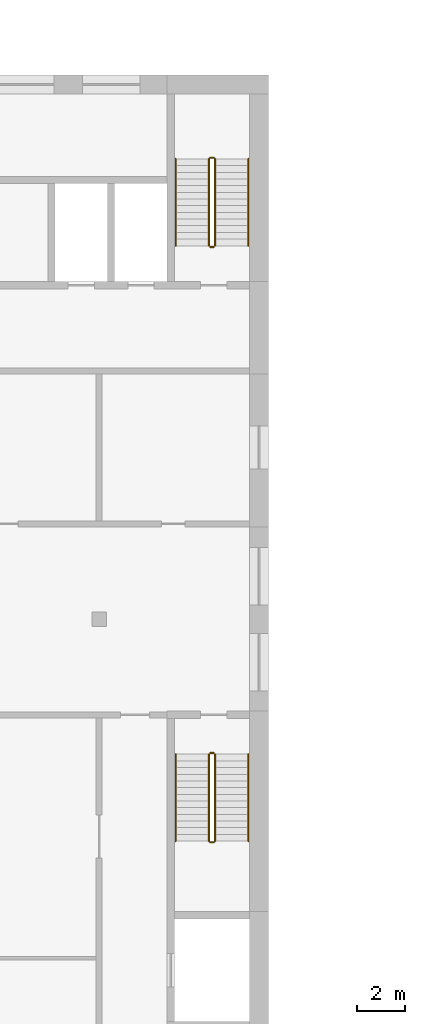
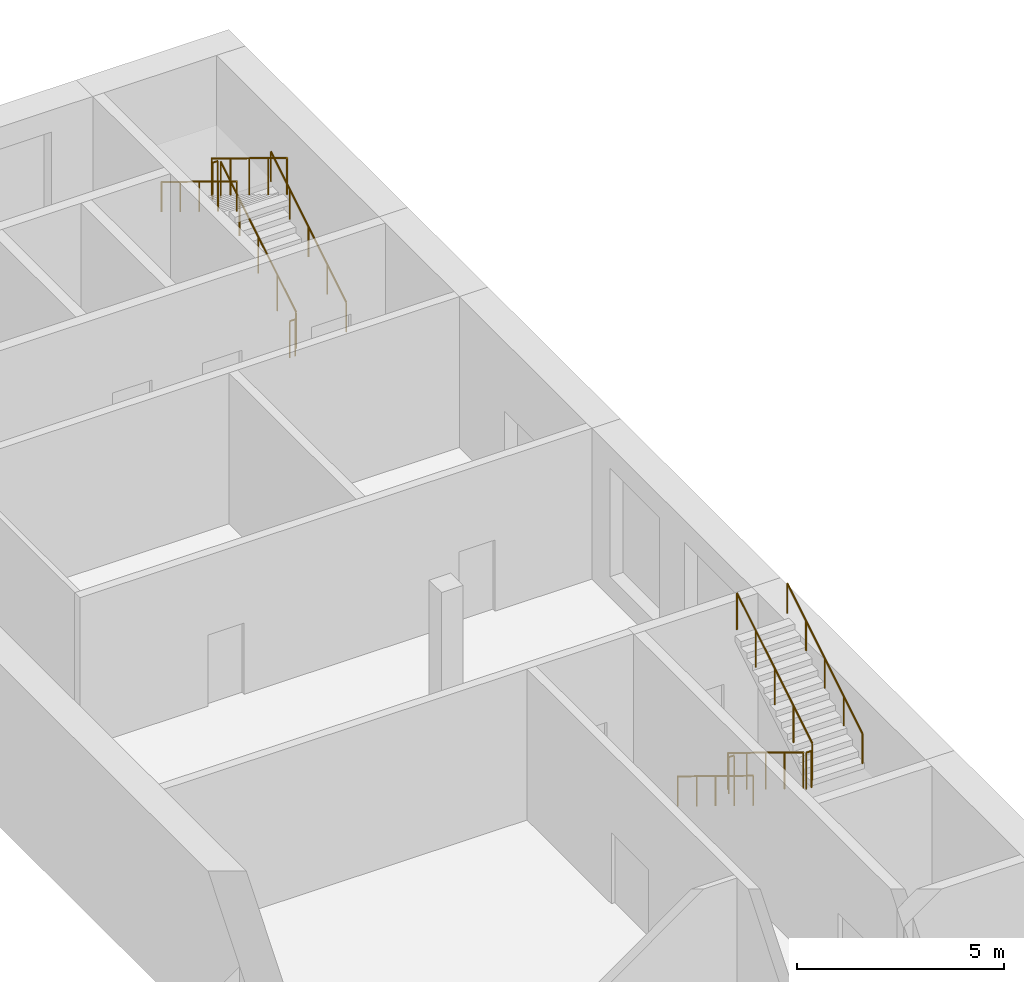
# One storey, part 19 of 27: 12 railings.
"""IFC4 building model written with IfcOpenShell, lengths in metres."""

from ifc_helpers import new_model, si_unit, direction, frame, origin, origin_2d, place, context, subcontext, project, spatial, circle, extrude, material, type_object, element, save


model = new_model("IFC4")

# Units and contexts
model_context = context("Model", 3, precision=1e-05, world=origin(), true_north=direction((0.0, 1.0)))
body_context = subcontext(model_context, "Body", "Model", "MODEL_VIEW")
ifc_project = project(units=[si_unit("LENGTHUNIT", "METRE"), si_unit("AREAUNIT", "SQUARE_METRE"), si_unit("VOLUMEUNIT", "CUBIC_METRE"), si_unit("PLANEANGLEUNIT", "RADIAN"), si_unit("MASSUNIT", "GRAM", prefix="KILO")], contexts=[model_context])

# Site, building, storey
site_placement = place(None, origin())
site = spatial("IfcSite", under=ifc_project, at=site_placement, CompositionType="ELEMENT")
building_placement = place(site_placement, origin())
building = spatial("IfcBuilding", under=site, at=building_placement, Name="Kiln Ring Residences", CompositionType="ELEMENT")
storey_placement = place(building_placement, frame((0.0, 0.0, 6.5)))
storey = spatial("IfcBuildingStorey", under=building, at=storey_placement, Name="L01", CompositionType="ELEMENT", Elevation=6.5)

# Railings
ifc_material_1 = material(Name="Stainless steel", Category="steel")
railing_type_1 = type_object("IfcRailingType", Name="Hall stair guard 1100", PredefinedType="GUARDRAIL", material=ifc_material_1)
railing_1_placement = place(storey_placement, frame((27.75, -119.550048828125, 0.17138671875)))
element("IfcRailing", 1, at=railing_1_placement, inside=storey, type_object=railing_type_1, Name="L01 HALL.ST2 stair guard 1", PredefinedType="GUARDRAIL", context=body_context, shape_type="SweptSolid", body=[
    extrude(circle(Radius=0.02392578125, at=origin_2d()), frame((0.0, 0.0, 1.076171875), z_axis=(0.0, 0.852865859571, 0.52213008492), x_axis=(-1.0, 0.0, 0.0)), (0.0, 0.0, 1.0), 4.26806640625),
    extrude(circle(Radius=0.02099609375, at=origin_2d()), origin(), (0.0, 0.0, 1.0), 1.052001953125),
    extrude(circle(Radius=0.02099609375, at=origin_2d()), frame((0.0, 0.91015625, 0.55712890625)), (0.0, 0.0, 1.0), 1.052001953125),
    extrude(circle(Radius=0.02099609375, at=origin_2d()), frame((0.0, 1.820068359375, 1.1142578125)), (0.0, 0.0, 1.0), 1.052001953125),
    extrude(circle(Radius=0.02099609375, at=origin_2d()), frame((0.0, 2.72998046875, 1.67138671875)), (0.0, 0.0, 1.0), 1.052001953125),
    extrude(circle(Radius=0.02099609375, at=origin_2d()), frame((0.0, 3.64013671875, 2.228515625)), (0.0, 0.0, 1.0), 1.052001953125),
])
railing_2_placement = place(storey_placement, frame((27.699951171875, -115.860107421875, 2.39990234375)))
element("IfcRailing", 2, at=railing_2_placement, inside=storey, type_object=railing_type_1, Name="L01 HALL.ST2 stair guard 2", PredefinedType="GUARDRAIL", context=body_context, shape_type="SweptSolid", body=[
    extrude(circle(Radius=0.02392578125, at=origin_2d()), frame((0.0, 0.0, 1.076171875), z_axis=(-1.0, 0.0, 0.0), x_axis=(0.0, -1.0, 0.0)), (0.0, 0.0, 1.0), 0.14990234375),
    extrude(circle(Radius=0.02099609375, at=origin_2d()), origin(), (0.0, 0.0, 1.0), 1.052001953125),
    extrude(circle(Radius=0.02099609375, at=origin_2d()), frame((-0.14990234375, 0.0, 0.0)), (0.0, 0.0, 1.0), 1.052001953125),
])
railing_3_placement = place(storey_placement, frame((27.5, -115.909912109375, 2.571533203125)))
element("IfcRailing", 3, at=railing_3_placement, inside=storey, type_object=railing_type_1, Name="L01 HALL.ST2 stair guard 3", PredefinedType="GUARDRAIL", context=body_context, shape_type="SweptSolid", body=[
    extrude(circle(Radius=0.02392578125, at=origin_2d()), frame((0.0, 0.0, 1.076171875), z_axis=(0.0, -0.852865859571, 0.52213008492), x_axis=(1.0, 0.0, 0.0)), (0.0, 0.0, 1.0), 4.26806640625),
    extrude(circle(Radius=0.02099609375, at=origin_2d()), origin(), (0.0, 0.0, 1.0), 1.052001953125),
    extrude(circle(Radius=0.02099609375, at=origin_2d()), frame((0.0, -0.91015625, 0.55712890625)), (0.0, 0.0, 1.0), 1.052001953125),
    extrude(circle(Radius=0.02099609375, at=origin_2d()), frame((0.0, -1.820068359375, 1.1142578125)), (0.0, 0.0, 1.0), 1.052001953125),
    extrude(circle(Radius=0.02099609375, at=origin_2d()), frame((0.0, -2.72998046875, 1.67138671875)), (0.0, 0.0, 1.0), 1.052001953125),
    extrude(circle(Radius=0.02099609375, at=origin_2d()), frame((0.0, -3.64013671875, 2.228515625)), (0.0, 0.0, 1.0), 1.052001953125),
])
railing_4_placement = place(storey_placement, frame((27.699951171875, -119.60009765625, 0.0)))
element("IfcRailing", 4, at=railing_4_placement, inside=storey, type_object=railing_type_1, Name="L01 HALL.ST2 stair guard 4", PredefinedType="GUARDRAIL", context=body_context, shape_type="SweptSolid", body=[
    extrude(circle(Radius=0.02392578125, at=origin_2d()), frame((0.0, 0.0, 1.076171875), z_axis=(-1.0, 0.0, 0.0), x_axis=(0.0, -1.0, 0.0)), (0.0, 0.0, 1.0), 0.14990234375),
    extrude(circle(Radius=0.02099609375, at=origin_2d()), origin(), (0.0, 0.0, 1.0), 1.052001953125),
    extrude(circle(Radius=0.02099609375, at=origin_2d()), frame((-0.14990234375, 0.0, 0.0)), (0.0, 0.0, 1.0), 1.052001953125),
])
railing_5_placement = place(storey_placement, frame((27.5, -140.85009765625, 0.17138671875)))
element("IfcRailing", 5, at=railing_5_placement, inside=storey, type_object=railing_type_1, Name="L01 HALL.ST4 stair guard 1", PredefinedType="GUARDRAIL", context=body_context, shape_type="SweptSolid", body=[
    extrude(circle(Radius=0.02392578125, at=origin_2d()), frame((0.0, 0.0, 1.076171875), z_axis=(0.0, -0.852850264322, 0.5221555579), x_axis=(1.0, 0.0, 0.0)), (0.0, 0.0, 1.0), 4.267822265625),
    extrude(circle(Radius=0.02099609375, at=origin_2d()), origin(), (0.0, 0.0, 1.0), 1.052001953125),
    extrude(circle(Radius=0.02099609375, at=origin_2d()), frame((0.0, -0.909912109375, 0.55712890625)), (0.0, 0.0, 1.0), 1.052001953125),
    extrude(circle(Radius=0.02099609375, at=origin_2d()), frame((0.0, -1.81982421875, 1.1142578125)), (0.0, 0.0, 1.0), 1.052001953125),
    extrude(circle(Radius=0.02099609375, at=origin_2d()), frame((0.0, -2.72998046875, 1.67138671875)), (0.0, 0.0, 1.0), 1.052001953125),
    extrude(circle(Radius=0.02099609375, at=origin_2d()), frame((0.0, -3.639892578125, 2.228515625)), (0.0, 0.0, 1.0), 1.052001953125),
])
railing_6_placement = place(storey_placement, frame((27.550048828125, -144.5400390625, 2.39990234375)))
element("IfcRailing", 6, at=railing_6_placement, inside=storey, type_object=railing_type_1, Name="L01 HALL.ST4 stair guard 2", PredefinedType="GUARDRAIL", context=body_context, shape_type="SweptSolid", body=[
    extrude(circle(Radius=0.02392578125, at=origin_2d()), frame((0.0, 0.0, 1.076171875), z_axis=(1.0, 0.0, 0.0), x_axis=(0.0, 1.0, 0.0)), (0.0, 0.0, 1.0), 0.14990234375),
    extrude(circle(Radius=0.02099609375, at=origin_2d()), origin(), (0.0, 0.0, 1.0), 1.052001953125),
    extrude(circle(Radius=0.02099609375, at=origin_2d()), frame((0.14990234375, 0.0, 0.0)), (0.0, 0.0, 1.0), 1.052001953125),
])
railing_7_placement = place(storey_placement, frame((27.75, -144.489990234375, 2.571533203125)))
element("IfcRailing", 7, at=railing_7_placement, inside=storey, type_object=railing_type_1, Name="L01 HALL.ST4 stair guard 3", PredefinedType="GUARDRAIL", context=body_context, shape_type="SweptSolid", body=[
    extrude(circle(Radius=0.02392578125, at=origin_2d()), frame((0.0, 0.0, 1.076171875), z_axis=(0.0, 0.852850264322, 0.5221555579), x_axis=(-1.0, 0.0, 0.0)), (0.0, 0.0, 1.0), 4.267822265625),
    extrude(circle(Radius=0.02099609375, at=origin_2d()), origin(), (0.0, 0.0, 1.0), 1.052001953125),
    extrude(circle(Radius=0.02099609375, at=origin_2d()), frame((0.0, 0.909912109375, 0.55712890625)), (0.0, 0.0, 1.0), 1.052001953125),
    extrude(circle(Radius=0.02099609375, at=origin_2d()), frame((0.0, 1.81982421875, 1.1142578125)), (0.0, 0.0, 1.0), 1.052001953125),
    extrude(circle(Radius=0.02099609375, at=origin_2d()), frame((0.0, 2.72998046875, 1.67138671875)), (0.0, 0.0, 1.0), 1.052001953125),
    extrude(circle(Radius=0.02099609375, at=origin_2d()), frame((0.0, 3.639892578125, 2.228515625)), (0.0, 0.0, 1.0), 1.052001953125),
])
railing_8_placement = place(storey_placement, frame((27.550048828125, -140.800048828125, 0.0)))
element("IfcRailing", 8, at=railing_8_placement, inside=storey, type_object=railing_type_1, Name="L01 HALL.ST4 stair guard 4", PredefinedType="GUARDRAIL", context=body_context, shape_type="SweptSolid", body=[
    extrude(circle(Radius=0.02392578125, at=origin_2d()), frame((0.0, 0.0, 1.076171875), z_axis=(1.0, 0.0, 0.0), x_axis=(0.0, 1.0, 0.0)), (0.0, 0.0, 1.0), 0.14990234375),
    extrude(circle(Radius=0.02099609375, at=origin_2d()), origin(), (0.0, 0.0, 1.0), 1.052001953125),
    extrude(circle(Radius=0.02099609375, at=origin_2d()), frame((0.14990234375, 0.0, 0.0)), (0.0, 0.0, 1.0), 1.052001953125),
])
ifc_material_2 = material(Name="Stainless steel", Category="steel")
railing_type_2 = type_object("IfcRailingType", Name="Hall stair handrail 900", PredefinedType="HANDRAIL", material=ifc_material_2)
railing_9_placement = place(storey_placement, frame((29.14990234375, -119.550048828125, 0.17138671875)))
element("IfcRailing", 9, at=railing_9_placement, inside=storey, type_object=railing_type_2, Name="L01 HALL.ST2 stair handrail 1", PredefinedType="HANDRAIL", context=body_context, shape_type="SweptSolid", body=[
    extrude(circle(Radius=0.02392578125, at=origin_2d()), frame((0.0, 0.0, 0.8759765625), z_axis=(0.0, 0.852865859571, 0.52213008492), x_axis=(-1.0, 0.0, 0.0)), (0.0, 0.0, 1.0), 4.26806640625),
    extrude(circle(Radius=0.02099609375, at=origin_2d()), origin(), (0.0, 0.0, 1.0), 0.851806640625),
    extrude(circle(Radius=0.02099609375, at=origin_2d()), frame((0.0, 0.91015625, 0.55712890625)), (0.0, 0.0, 1.0), 0.851806640625),
    extrude(circle(Radius=0.02099609375, at=origin_2d()), frame((0.0, 1.820068359375, 1.1142578125)), (0.0, 0.0, 1.0), 0.851806640625),
    extrude(circle(Radius=0.02099609375, at=origin_2d()), frame((0.0, 2.72998046875, 1.67138671875)), (0.0, 0.0, 1.0), 0.851806640625),
    extrude(circle(Radius=0.02099609375, at=origin_2d()), frame((0.0, 3.64013671875, 2.228515625)), (0.0, 0.0, 1.0), 0.851806640625),
])
railing_10_placement = place(storey_placement, frame((26.10009765625, -115.909912109375, 2.571533203125)))
element("IfcRailing", 10, at=railing_10_placement, inside=storey, type_object=railing_type_2, Name="L01 HALL.ST2 stair handrail 2", PredefinedType="HANDRAIL", context=body_context, shape_type="SweptSolid", body=[
    extrude(circle(Radius=0.02392578125, at=origin_2d()), frame((0.0, 0.0, 0.8759765625), z_axis=(0.0, -0.852865859571, 0.52213008492), x_axis=(1.0, 0.0, 0.0)), (0.0, 0.0, 1.0), 4.26806640625),
    extrude(circle(Radius=0.02099609375, at=origin_2d()), origin(), (0.0, 0.0, 1.0), 0.851806640625),
    extrude(circle(Radius=0.02099609375, at=origin_2d()), frame((0.0, -0.91015625, 0.55712890625)), (0.0, 0.0, 1.0), 0.851806640625),
    extrude(circle(Radius=0.02099609375, at=origin_2d()), frame((0.0, -1.820068359375, 1.1142578125)), (0.0, 0.0, 1.0), 0.851806640625),
    extrude(circle(Radius=0.02099609375, at=origin_2d()), frame((0.0, -2.72998046875, 1.67138671875)), (0.0, 0.0, 1.0), 0.851806640625),
    extrude(circle(Radius=0.02099609375, at=origin_2d()), frame((0.0, -3.64013671875, 2.228515625)), (0.0, 0.0, 1.0), 0.851806640625),
])
railing_11_placement = place(storey_placement, frame((26.10009765625, -140.85009765625, 0.17138671875)))
element("IfcRailing", 11, at=railing_11_placement, inside=storey, type_object=railing_type_2, Name="L01 HALL.ST4 stair handrail 1", PredefinedType="HANDRAIL", context=body_context, shape_type="SweptSolid", body=[
    extrude(circle(Radius=0.02392578125, at=origin_2d()), frame((0.0, 0.0, 0.8759765625), z_axis=(0.0, -0.852850264322, 0.5221555579), x_axis=(1.0, 0.0, 0.0)), (0.0, 0.0, 1.0), 4.267822265625),
    extrude(circle(Radius=0.02099609375, at=origin_2d()), origin(), (0.0, 0.0, 1.0), 0.851806640625),
    extrude(circle(Radius=0.02099609375, at=origin_2d()), frame((0.0, -0.909912109375, 0.55712890625)), (0.0, 0.0, 1.0), 0.851806640625),
    extrude(circle(Radius=0.02099609375, at=origin_2d()), frame((0.0, -1.81982421875, 1.1142578125)), (0.0, 0.0, 1.0), 0.851806640625),
    extrude(circle(Radius=0.02099609375, at=origin_2d()), frame((0.0, -2.72998046875, 1.67138671875)), (0.0, 0.0, 1.0), 0.851806640625),
    extrude(circle(Radius=0.02099609375, at=origin_2d()), frame((0.0, -3.639892578125, 2.228515625)), (0.0, 0.0, 1.0), 0.851806640625),
])
railing_12_placement = place(storey_placement, frame((29.14990234375, -144.489990234375, 2.571533203125)))
element("IfcRailing", 12, at=railing_12_placement, inside=storey, type_object=railing_type_2, Name="L01 HALL.ST4 stair handrail 2", PredefinedType="HANDRAIL", context=body_context, shape_type="SweptSolid", body=[
    extrude(circle(Radius=0.02392578125, at=origin_2d()), frame((0.0, 0.0, 0.8759765625), z_axis=(0.0, 0.852850264322, 0.5221555579), x_axis=(-1.0, 0.0, 0.0)), (0.0, 0.0, 1.0), 4.267822265625),
    extrude(circle(Radius=0.02099609375, at=origin_2d()), origin(), (0.0, 0.0, 1.0), 0.851806640625),
    extrude(circle(Radius=0.02099609375, at=origin_2d()), frame((0.0, 0.909912109375, 0.55712890625)), (0.0, 0.0, 1.0), 0.851806640625),
    extrude(circle(Radius=0.02099609375, at=origin_2d()), frame((0.0, 1.81982421875, 1.1142578125)), (0.0, 0.0, 1.0), 0.851806640625),
    extrude(circle(Radius=0.02099609375, at=origin_2d()), frame((0.0, 2.72998046875, 1.67138671875)), (0.0, 0.0, 1.0), 0.851806640625),
    extrude(circle(Radius=0.02099609375, at=origin_2d()), frame((0.0, 3.639892578125, 2.228515625)), (0.0, 0.0, 1.0), 0.851806640625),
])

save(model, "model.ifc")
